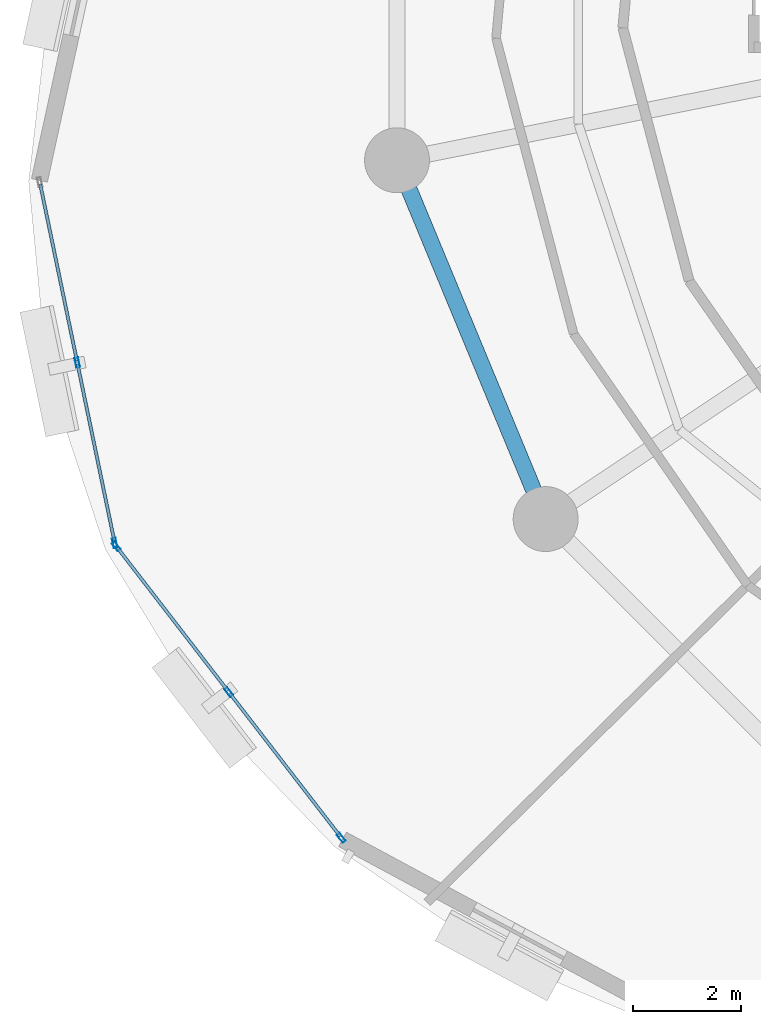
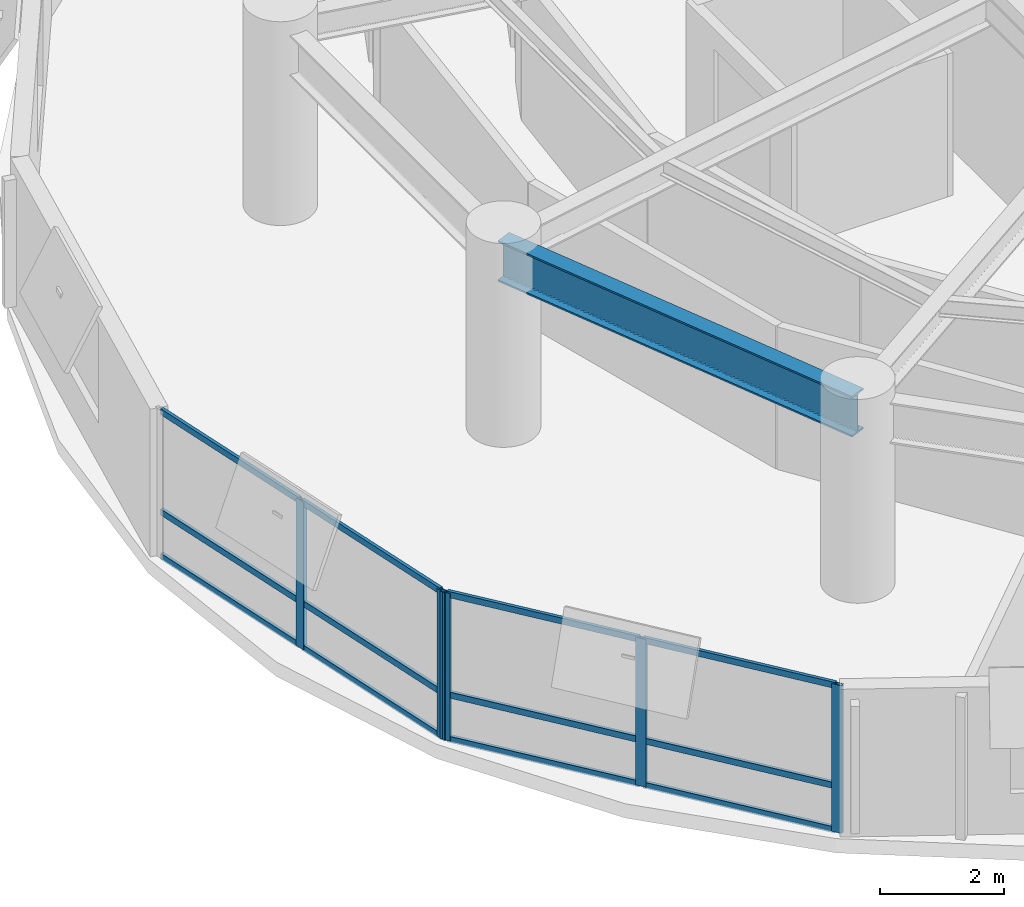
# One storey, part 2 of 14: 17 members, 1 beam, 2 elements without a shape of their own.
"""IFC4 building model written with IfcOpenShell, lengths in metres."""

from ifc_helpers import new_model, si_unit, direction, frame, origin, origin_2d, place, context, subcontext, project, spatial, hollow_rectangle, i_section, extrude, material, layer, layer_set, material_profile, profile_set, type_object, element, aggregate, save


model = new_model("IFC4")

# Units and contexts
model_context = context("Model", 3, precision=1e-05, world=origin(), true_north=direction((0.0, 1.0)))
body_context = subcontext(model_context, "Body", "Model", "MODEL_VIEW")
ifc_project = project(units=[si_unit("LENGTHUNIT", "METRE"), si_unit("AREAUNIT", "SQUARE_METRE"), si_unit("VOLUMEUNIT", "CUBIC_METRE"), si_unit("PLANEANGLEUNIT", "RADIAN"), si_unit("MASSUNIT", "GRAM", prefix="KILO"), si_unit("THERMODYNAMICTEMPERATUREUNIT", "KELVIN"), si_unit("POWERUNIT", "WATT")], contexts=[model_context])

# Site, building, storey
site_placement = place(None, origin())
site = spatial("IfcSite", under=ifc_project, at=site_placement, CompositionType="ELEMENT")
building_placement = place(site_placement, origin())
building = spatial("IfcBuilding", under=site, at=building_placement, Name="Ocrelia Relay Tower", CompositionType="ELEMENT")
storey_placement = place(building_placement, frame((0.0, 0.0, 137.800048828125)))
storey = spatial("IfcBuildingStorey", under=building, at=storey_placement, Name="L32", CompositionType="ELEMENT", Elevation=137.800048828125)

# Beam
ifc_material_1 = material(Name="Steel S355", Category="steel")
ifc_material_profile_1 = material_profile(ifc_material_1, i_section(OverallWidth=0.300048828125, OverallDepth=0.800048828125, WebThickness=0.017578125, FlangeThickness=0.032958984375, FilletRadius=0.030029296875, at=origin_2d()), Name="HEB 800")
ifc_profile_set_1 = profile_set([ifc_material_profile_1], Name="Steel S355")
beam_type = type_object("IfcBeamType", Name="BM-HEB800", PredefinedType="BEAM", material=ifc_profile_set_1)
beam_placement = place(storey_placement, frame((15.95361328125, 22.410400390625, 3.320068359375), z_axis=(0.382673155247, -0.923883789366, 0.0), x_axis=(0.923883789366, 0.382673155247, 0.0)))
element("IfcBeam", 1, at=beam_placement, inside=storey, type_object=beam_type, Name="L32 Perimeter Spandrel Beam S09", PredefinedType="BEAM", context=body_context, shape_type="SweptSolid", body=[
    extrude(i_section(OverallWidth=0.300048828125, OverallDepth=0.800048828125, WebThickness=0.017578125, FlangeThickness=0.032958984375, FilletRadius=0.030029296875, at=origin_2d()), origin(), (0.0, 0.0, 1.0), 7.17919921875),
])

# Curtain wall, members
ifc_material_2 = material(Name="Aluminium and solar-control low-E glass", Category="aluminium")
ifc_layer = layer(ifc_material_2, 0.179931640625, Name="Aluminium and solar-control low-E glass")
ifc_layer_set = layer_set([ifc_layer], Name="Aluminium and solar-control low-E glass")
curtain_wall_type = type_object("IfcCurtainWallType", Name="CW-SYS-Z2-SWIT", PredefinedType="NOTDEFINED", material=ifc_layer_set)
curtain_wall_1_placement = place(storey_placement, origin())
curtain_wall_1 = element("IfcCurtainWall", 2, at=curtain_wall_1_placement, inside=storey, type_object=curtain_wall_type, Name="L32 Elliptical Tower Curtain Wall Bay 09", PredefinedType="NOTDEFINED")
ifc_material_3 = material(Name="Anodised bronze aluminium", Category="aluminium")
ifc_material_profile_2 = material_profile(ifc_material_3, hollow_rectangle(XDim=0.070068359375, YDim=0.179931640625, WallThickness=0.006103515625, at=origin_2d()), Name="CW-MUL-180x70")
ifc_profile_set_2 = profile_set([ifc_material_profile_2], Name="Anodised bronze aluminium")
member_type_1 = type_object("IfcMemberType", Name="CW-SYS-Z2-SWIT-MUL", PredefinedType="MULLION", material=ifc_profile_set_2)
member_1_placement = place(storey_placement, frame((10.04296875, 18.67041015625, 0.0), z_axis=(0.0, 0.0, 1.0), x_axis=(0.979113967435, 0.203312170747, 0.0)))
member_1 = element("IfcMember", 3, at=member_1_placement, type_object=member_type_1, Name="CW-Z2 mullion 2", PredefinedType="MULLION", context=body_context, shape_type="SweptSolid", body=[
    extrude(hollow_rectangle(XDim=0.070068359375, YDim=0.179931640625, WallThickness=0.006103515625, at=origin_2d()), origin(), (0.0, 0.0, 1.0), 2.89990234375),
])
member_2_placement = place(storey_placement, frame((10.735107421875, 15.3369140625, 0.0), z_axis=(0.0, 0.0, 1.0), x_axis=(0.979113967435, 0.203312170747, 0.0)))
member_2 = element("IfcMember", 4, at=member_2_placement, type_object=member_type_1, Name="CW-Z2 mullion 3", PredefinedType="MULLION", context=body_context, shape_type="SweptSolid", body=[
    extrude(hollow_rectangle(XDim=0.070068359375, YDim=0.179931640625, WallThickness=0.006103515625, at=origin_2d()), origin(), (0.0, 0.0, 1.0), 2.89990234375),
])

curtain_wall_2_placement = place(storey_placement, origin())
curtain_wall_2 = element("IfcCurtainWall", 5, at=curtain_wall_2_placement, inside=storey, type_object=curtain_wall_type, Name="L32 Elliptical Tower Curtain Wall Bay 10", PredefinedType="NOTDEFINED")
member_3_placement = place(storey_placement, frame((10.763671875, 15.27490234375, 0.0), z_axis=(0.0, 0.0, 1.0), x_axis=(0.791550597168, 0.611103634519, 0.0)))
member_3 = element("IfcMember", 6, at=member_3_placement, type_object=member_type_1, Name="CW-Z2 mullion 1", PredefinedType="MULLION", context=body_context, shape_type="SweptSolid", body=[
    extrude(hollow_rectangle(XDim=0.070068359375, YDim=0.179931640625, WallThickness=0.006103515625, at=origin_2d()), origin(), (0.0, 0.0, 1.0), 2.89990234375),
])
member_4_placement = place(storey_placement, frame((12.843994140625, 12.580078125, 0.0), z_axis=(0.0, 0.0, 1.0), x_axis=(0.791550597168, 0.611103634519, 0.0)))
member_4 = element("IfcMember", 7, at=member_4_placement, type_object=member_type_1, Name="CW-Z2 mullion 2", PredefinedType="MULLION", context=body_context, shape_type="SweptSolid", body=[
    extrude(hollow_rectangle(XDim=0.070068359375, YDim=0.179931640625, WallThickness=0.006103515625, at=origin_2d()), origin(), (0.0, 0.0, 1.0), 2.89990234375),
])
member_5_placement = place(storey_placement, frame((14.924560546875, 9.88525390625, 0.0), z_axis=(0.0, 0.0, 1.0), x_axis=(0.791550597168, 0.611103634519, 0.0)))
member_5 = element("IfcMember", 8, at=member_5_placement, type_object=member_type_1, Name="CW-Z2 mullion 3", PredefinedType="MULLION", context=body_context, shape_type="SweptSolid", body=[
    extrude(hollow_rectangle(XDim=0.070068359375, YDim=0.179931640625, WallThickness=0.006103515625, at=origin_2d()), origin(), (0.0, 0.0, 1.0), 2.89990234375),
])

# Member
ifc_material_profile_3 = material_profile(ifc_material_3, hollow_rectangle(XDim=0.06005859375, YDim=0.1201171875, WallThickness=0.0048828125, at=origin_2d()), Name="CW-TRN-120x60")
ifc_profile_set_3 = profile_set([ifc_material_profile_3], Name="Anodised bronze aluminium")
member_type_2 = type_object("IfcMemberType", Name="CW-SYS-Z2-SWIT-TRN", PredefinedType="USERDEFINED", material=ifc_profile_set_3)
member_6_placement = place(storey_placement, frame((9.35791015625, 21.969482421875, 0.030029296875), z_axis=(0.203319757184, -0.979112392087, 0.0), x_axis=(0.979112392087, 0.203319757184, 0.0)))
member_6 = element("IfcMember", 9, at=member_6_placement, type_object=member_type_2, Name="CW-Z2 transom 1.1", ObjectType="TRANSOM", PredefinedType="USERDEFINED", context=body_context, shape_type="SweptSolid", body=[
    extrude(hollow_rectangle(XDim=0.06005859375, YDim=0.1201171875, WallThickness=0.0048828125, at=origin_2d()), origin(), (0.0, 0.0, 1.0), 3.33447265625),
])

member_7_placement = place(storey_placement, frame((9.35791015625, 21.969482421875, 0.89990234375), z_axis=(0.203319757184, -0.979112392087, 0.0), x_axis=(0.979112392087, 0.203319757184, 0.0)))
member_7 = element("IfcMember", 10, at=member_7_placement, type_object=member_type_2, Name="CW-Z2 transom 1.2", ObjectType="TRANSOM", PredefinedType="USERDEFINED", context=body_context, shape_type="SweptSolid", body=[
    extrude(hollow_rectangle(XDim=0.06005859375, YDim=0.1201171875, WallThickness=0.0048828125, at=origin_2d()), origin(), (0.0, 0.0, 1.0), 3.33447265625),
])

member_8_placement = place(storey_placement, frame((9.35791015625, 21.969482421875, 2.869873046875), z_axis=(0.203319757184, -0.979112392087, 0.0), x_axis=(0.979112392087, 0.203319757184, 0.0)))
member_8 = element("IfcMember", 11, at=member_8_placement, type_object=member_type_2, Name="CW-Z2 transom 1.3", ObjectType="TRANSOM", PredefinedType="USERDEFINED", context=body_context, shape_type="SweptSolid", body=[
    extrude(hollow_rectangle(XDim=0.06005859375, YDim=0.1201171875, WallThickness=0.0048828125, at=origin_2d()), origin(), (0.0, 0.0, 1.0), 3.33447265625),
])

member_9_placement = place(storey_placement, frame((10.050048828125, 18.635986328125, 0.030029296875), z_axis=(0.203319757184, -0.979112392087, 0.0), x_axis=(0.979112392087, 0.203319757184, 0.0)))
member_9 = element("IfcMember", 12, at=member_9_placement, type_object=member_type_2, Name="CW-Z2 transom 2.1", ObjectType="TRANSOM", PredefinedType="USERDEFINED", context=body_context, shape_type="SweptSolid", body=[
    extrude(hollow_rectangle(XDim=0.06005859375, YDim=0.1201171875, WallThickness=0.0048828125, at=origin_2d()), origin(), (0.0, 0.0, 1.0), 3.33447265625),
])

member_10_placement = place(storey_placement, frame((10.050048828125, 18.635986328125, 0.89990234375), z_axis=(0.203319757184, -0.979112392087, 0.0), x_axis=(0.979112392087, 0.203319757184, 0.0)))
member_10 = element("IfcMember", 13, at=member_10_placement, type_object=member_type_2, Name="CW-Z2 transom 2.2", ObjectType="TRANSOM", PredefinedType="USERDEFINED", context=body_context, shape_type="SweptSolid", body=[
    extrude(hollow_rectangle(XDim=0.06005859375, YDim=0.1201171875, WallThickness=0.0048828125, at=origin_2d()), origin(), (0.0, 0.0, 1.0), 3.33447265625),
])

member_11_placement = place(storey_placement, frame((10.050048828125, 18.635986328125, 2.869873046875), z_axis=(0.203319757184, -0.979112392087, 0.0), x_axis=(0.979112392087, 0.203319757184, 0.0)))
member_11 = element("IfcMember", 14, at=member_11_placement, type_object=member_type_2, Name="CW-Z2 transom 2.3", ObjectType="TRANSOM", PredefinedType="USERDEFINED", context=body_context, shape_type="SweptSolid", body=[
    extrude(hollow_rectangle(XDim=0.06005859375, YDim=0.1201171875, WallThickness=0.0048828125, at=origin_2d()), origin(), (0.0, 0.0, 1.0), 3.33447265625),
])

aggregate(curtain_wall_1, [member_1, member_2, member_6, member_7, member_8, member_9, member_10, member_11])

member_12_placement = place(storey_placement, frame((10.784912109375, 15.2470703125, 0.030029296875), z_axis=(0.611128637846, -0.79153129313, 0.0), x_axis=(0.79153129313, 0.611128637846, 0.0)))
member_12 = element("IfcMember", 15, at=member_12_placement, type_object=member_type_2, Name="CW-Z2 transom 1.1", ObjectType="TRANSOM", PredefinedType="USERDEFINED", context=body_context, shape_type="SweptSolid", body=[
    extrude(hollow_rectangle(XDim=0.06005859375, YDim=0.1201171875, WallThickness=0.0048828125, at=origin_2d()), origin(), (0.0, 0.0, 1.0), 3.33447265625),
])

member_13_placement = place(storey_placement, frame((10.784912109375, 15.2470703125, 0.89990234375), z_axis=(0.611128637846, -0.79153129313, 0.0), x_axis=(0.79153129313, 0.611128637846, 0.0)))
member_13 = element("IfcMember", 16, at=member_13_placement, type_object=member_type_2, Name="CW-Z2 transom 1.2", ObjectType="TRANSOM", PredefinedType="USERDEFINED", context=body_context, shape_type="SweptSolid", body=[
    extrude(hollow_rectangle(XDim=0.06005859375, YDim=0.1201171875, WallThickness=0.0048828125, at=origin_2d()), origin(), (0.0, 0.0, 1.0), 3.33447265625),
])

member_14_placement = place(storey_placement, frame((10.784912109375, 15.2470703125, 2.869873046875), z_axis=(0.611128637846, -0.79153129313, 0.0), x_axis=(0.79153129313, 0.611128637846, 0.0)))
member_14 = element("IfcMember", 17, at=member_14_placement, type_object=member_type_2, Name="CW-Z2 transom 1.3", ObjectType="TRANSOM", PredefinedType="USERDEFINED", context=body_context, shape_type="SweptSolid", body=[
    extrude(hollow_rectangle(XDim=0.06005859375, YDim=0.1201171875, WallThickness=0.0048828125, at=origin_2d()), origin(), (0.0, 0.0, 1.0), 3.33447265625),
])

member_15_placement = place(storey_placement, frame((12.865478515625, 12.55224609375, 0.030029296875), z_axis=(0.611128637846, -0.79153129313, 0.0), x_axis=(0.79153129313, 0.611128637846, 0.0)))
member_15 = element("IfcMember", 18, at=member_15_placement, type_object=member_type_2, Name="CW-Z2 transom 2.1", ObjectType="TRANSOM", PredefinedType="USERDEFINED", context=body_context, shape_type="SweptSolid", body=[
    extrude(hollow_rectangle(XDim=0.06005859375, YDim=0.1201171875, WallThickness=0.0048828125, at=origin_2d()), origin(), (0.0, 0.0, 1.0), 3.33447265625),
])

member_16_placement = place(storey_placement, frame((12.865478515625, 12.55224609375, 0.89990234375), z_axis=(0.611128637846, -0.79153129313, 0.0), x_axis=(0.79153129313, 0.611128637846, 0.0)))
member_16 = element("IfcMember", 19, at=member_16_placement, type_object=member_type_2, Name="CW-Z2 transom 2.2", ObjectType="TRANSOM", PredefinedType="USERDEFINED", context=body_context, shape_type="SweptSolid", body=[
    extrude(hollow_rectangle(XDim=0.06005859375, YDim=0.1201171875, WallThickness=0.0048828125, at=origin_2d()), origin(), (0.0, 0.0, 1.0), 3.33447265625),
])

member_17_placement = place(storey_placement, frame((12.865478515625, 12.55224609375, 2.869873046875), z_axis=(0.611128637846, -0.79153129313, 0.0), x_axis=(0.79153129313, 0.611128637846, 0.0)))
member_17 = element("IfcMember", 20, at=member_17_placement, type_object=member_type_2, Name="CW-Z2 transom 2.3", ObjectType="TRANSOM", PredefinedType="USERDEFINED", context=body_context, shape_type="SweptSolid", body=[
    extrude(hollow_rectangle(XDim=0.06005859375, YDim=0.1201171875, WallThickness=0.0048828125, at=origin_2d()), origin(), (0.0, 0.0, 1.0), 3.33447265625),
])

aggregate(curtain_wall_2, [member_3, member_4, member_5, member_12, member_13, member_14, member_15, member_16, member_17])

save(model, "model.ifc")
